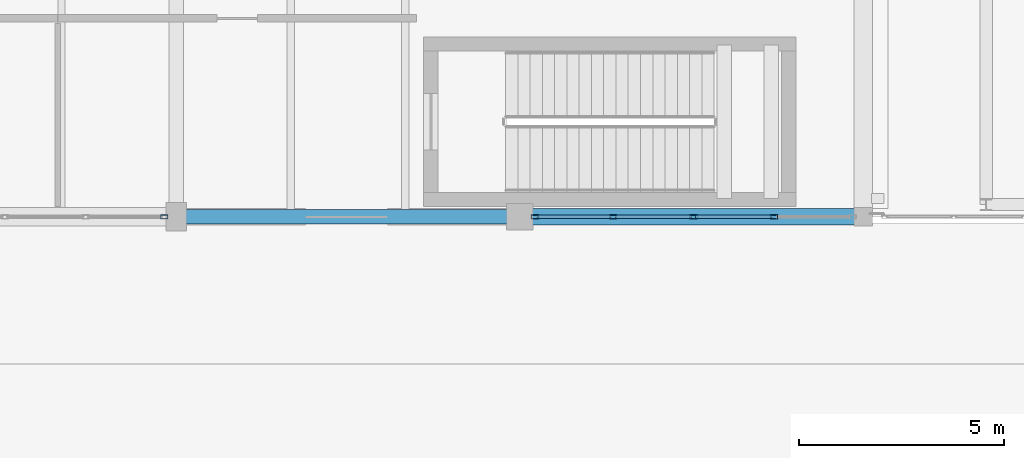
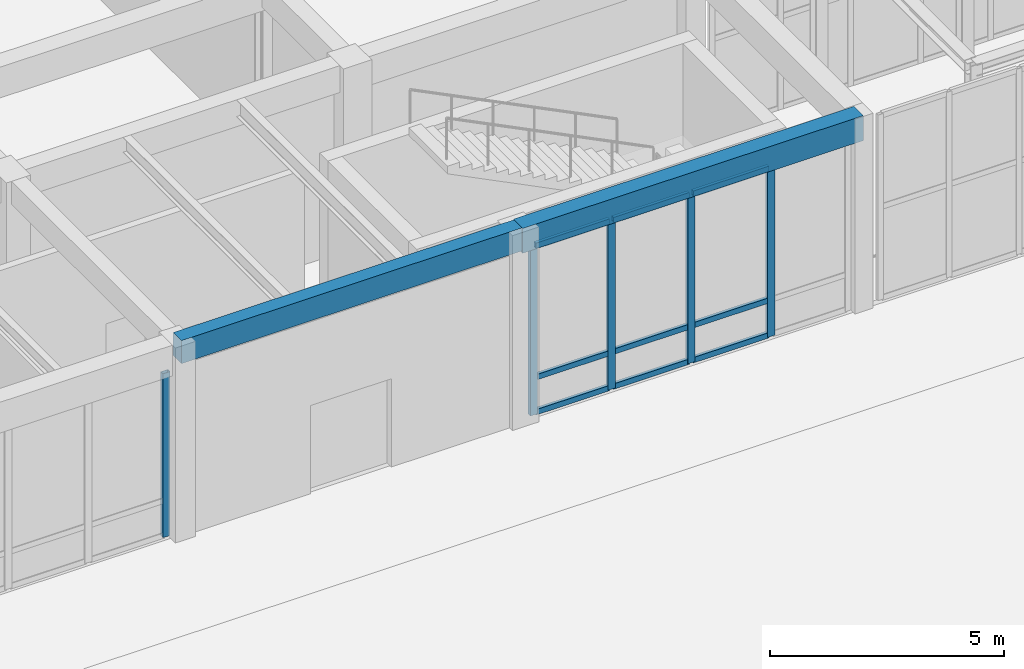
# One storey, part 74 of 169: 14 members, 2 beams, 2 elements without a shape of their own.
"""IFC4 building model written with IfcOpenShell, lengths in metres."""

from ifc_helpers import new_model, si_unit, direction, frame, origin, origin_2d, place, context, subcontext, project, spatial, rectangle, hollow_rectangle, extrude, material, layer, layer_set, material_profile, profile_set, type_object, element, aggregate, save


model = new_model("IFC4")

# Units and contexts
model_context = context("Model", 3, precision=1e-05, world=origin(), true_north=direction((0.0, 1.0)))
body_context = subcontext(model_context, "Body", "Model", "MODEL_VIEW")
ifc_project = project(units=[si_unit("LENGTHUNIT", "METRE"), si_unit("AREAUNIT", "SQUARE_METRE"), si_unit("VOLUMEUNIT", "CUBIC_METRE"), si_unit("PLANEANGLEUNIT", "RADIAN"), si_unit("MASSUNIT", "GRAM", prefix="KILO")], contexts=[model_context])

# Site, building, storey
site_placement = place(None, origin())
site = spatial("IfcSite", under=ifc_project, at=site_placement, CompositionType="ELEMENT")
building_placement = place(site_placement, origin())
building = spatial("IfcBuilding", under=site, at=building_placement, Name="Mazaris Harbour Polytechnic", CompositionType="ELEMENT")
storey_placement = place(building_placement, origin())
storey = spatial("IfcBuildingStorey", under=building, at=storey_placement, Name="L00", CompositionType="ELEMENT", Elevation=0.0)

# Curtain wall, member
ifc_material_1 = material(Name="Anodised Bronze Aluminium and Low-E Glass", Category="aluminium")
ifc_layer = layer(ifc_material_1, 0.14990234375, Name="Anodised Bronze Aluminium and Low-E Glass")
ifc_layer_set = layer_set([ifc_layer], Name="Anodised Bronze Aluminium and Low-E Glass")
curtain_wall_type = type_object("IfcCurtainWallType", Name="Workshop Clerestory Curtain Wall", PredefinedType="NOTDEFINED", material=ifc_layer_set)
curtain_wall_1_placement = place(storey_placement, origin())
curtain_wall_1 = element("IfcCurtainWall", 1, at=curtain_wall_1_placement, inside=storey, type_object=curtain_wall_type, Name="V1 L00 Curtain Wall 3", PredefinedType="NOTDEFINED")
ifc_material_2 = material(Name="Anodised Bronze Steel S355", Category="steel")
ifc_material_profile_1 = material_profile(ifc_material_2, hollow_rectangle(XDim=0.10009765625, YDim=0.179931640625, WallThickness=0.008056640625, at=origin_2d()), Name="RHS 100x180x8.0")
ifc_profile_set_1 = profile_set([ifc_material_profile_1], Name="Anodised Bronze Steel S355")
member_type_1 = type_object("IfcMemberType", Name="Curtain Mullion RHS100x180", PredefinedType="MULLION", material=ifc_profile_set_1)
member_1_placement = place(storey_placement, frame((95.7080078125, 75.60009765625, 0.0), z_axis=(0.0, 0.0, 1.0), x_axis=(0.0, -1.0, 0.0)))
member_1 = element("IfcMember", 2, at=member_1_placement, type_object=member_type_1, Name="CW-04 mullion 1", PredefinedType="MULLION", context=body_context, shape_type="SweptSolid", body=[
    extrude(hollow_rectangle(XDim=0.10009765625, YDim=0.179931640625, WallThickness=0.008056640625, at=origin_2d()), origin(), (0.0, 0.0, 1.0), 4.27001953125),
])
aggregate(curtain_wall_1, [member_1])

# Curtain wall, members
curtain_wall_2_placement = place(storey_placement, origin())
curtain_wall_2 = element("IfcCurtainWall", 3, at=curtain_wall_2_placement, inside=storey, type_object=curtain_wall_type, Name="V1 L00 Curtain Wall 4", PredefinedType="NOTDEFINED")
member_2_placement = place(storey_placement, frame((110.616455078125, 75.60009765625, 0.0), z_axis=(0.0, 0.0, 1.0), x_axis=(0.0, -1.0, 0.0)))
member_2 = element("IfcMember", 4, at=member_2_placement, type_object=member_type_1, Name="CW-04 mullion 2", PredefinedType="MULLION", context=body_context, shape_type="SweptSolid", body=[
    extrude(hollow_rectangle(XDim=0.10009765625, YDim=0.179931640625, WallThickness=0.008056640625, at=origin_2d()), origin(), (0.0, 0.0, 1.0), 4.419921875),
])
member_3_placement = place(storey_placement, frame((108.64990234375, 75.60009765625, 0.0), z_axis=(0.0, 0.0, 1.0), x_axis=(0.0, -1.0, 0.0)))
member_3 = element("IfcMember", 5, at=member_3_placement, type_object=member_type_1, Name="CW-04 mullion 3", PredefinedType="MULLION", context=body_context, shape_type="SweptSolid", body=[
    extrude(hollow_rectangle(XDim=0.10009765625, YDim=0.179931640625, WallThickness=0.008056640625, at=origin_2d()), origin(), (0.0, 0.0, 1.0), 4.419921875),
])
member_4_placement = place(storey_placement, frame((106.68359375, 75.60009765625, 0.0), z_axis=(0.0, 0.0, 1.0), x_axis=(0.0, -1.0, 0.0)))
member_4 = element("IfcMember", 6, at=member_4_placement, type_object=member_type_1, Name="CW-04 mullion 4", PredefinedType="MULLION", context=body_context, shape_type="SweptSolid", body=[
    extrude(hollow_rectangle(XDim=0.10009765625, YDim=0.179931640625, WallThickness=0.008056640625, at=origin_2d()), origin(), (0.0, 0.0, 1.0), 4.419921875),
])
member_5_placement = place(storey_placement, frame((104.76708984375, 75.60009765625, 0.0), z_axis=(0.0, 0.0, 1.0), x_axis=(0.0, -1.0, 0.0)))
member_5 = element("IfcMember", 7, at=member_5_placement, type_object=member_type_1, Name="CW-04 mullion 5", PredefinedType="MULLION", context=body_context, shape_type="SweptSolid", body=[
    extrude(hollow_rectangle(XDim=0.10009765625, YDim=0.179931640625, WallThickness=0.008056640625, at=origin_2d()), origin(), (0.0, 0.0, 1.0), 4.419921875),
])
ifc_material_3 = material(Name="Anodised Bronze Steel S355", Category="steel")
ifc_material_profile_2 = material_profile(ifc_material_3, hollow_rectangle(XDim=0.080078125, YDim=0.139892578125, WallThickness=0.00634765625, at=origin_2d()), Name="RHS 80x140x6.3")
ifc_profile_set_2 = profile_set([ifc_material_profile_2], Name="Anodised Bronze Steel S355")
member_type_2 = type_object("IfcMemberType", Name="Curtain Transom RHS80x140", PredefinedType="USERDEFINED", material=ifc_profile_set_2)
member_6_placement = place(storey_placement, frame((110.56640625, 75.60009765625, 0.0400390625), z_axis=(-1.0, 0.0, 0.0), x_axis=(0.0, -1.0, 0.0)))
member_6 = element("IfcMember", 8, at=member_6_placement, type_object=member_type_2, Name="CW-04 transom 2.1", ObjectType="TRANSOM", PredefinedType="USERDEFINED", context=body_context, shape_type="SweptSolid", body=[
    extrude(hollow_rectangle(XDim=0.080078125, YDim=0.139892578125, WallThickness=0.00634765625, at=origin_2d()), origin(), (0.0, 0.0, 1.0), 1.866455078125),
])
member_7_placement = place(storey_placement, frame((110.56640625, 75.60009765625, 0.949951171875), z_axis=(-1.0, 0.0, 0.0), x_axis=(0.0, -1.0, 0.0)))
member_7 = element("IfcMember", 9, at=member_7_placement, type_object=member_type_2, Name="CW-04 transom 2.2", ObjectType="TRANSOM", PredefinedType="USERDEFINED", context=body_context, shape_type="SweptSolid", body=[
    extrude(hollow_rectangle(XDim=0.080078125, YDim=0.139892578125, WallThickness=0.00634765625, at=origin_2d()), origin(), (0.0, 0.0, 1.0), 1.866455078125),
])
member_8_placement = place(storey_placement, frame((110.56640625, 75.60009765625, 4.3798828125), z_axis=(-1.0, 0.0, 0.0), x_axis=(0.0, -1.0, 0.0)))
member_8 = element("IfcMember", 10, at=member_8_placement, type_object=member_type_2, Name="CW-04 transom 2.3", ObjectType="TRANSOM", PredefinedType="USERDEFINED", context=body_context, shape_type="SweptSolid", body=[
    extrude(hollow_rectangle(XDim=0.080078125, YDim=0.139892578125, WallThickness=0.00634765625, at=origin_2d()), origin(), (0.0, 0.0, 1.0), 1.866455078125),
])
member_9_placement = place(storey_placement, frame((108.60009765625, 75.60009765625, 0.0400390625), z_axis=(-1.0, 0.0, 0.0), x_axis=(0.0, -1.0, 0.0)))
member_9 = element("IfcMember", 11, at=member_9_placement, type_object=member_type_2, Name="CW-04 transom 3.1", ObjectType="TRANSOM", PredefinedType="USERDEFINED", context=body_context, shape_type="SweptSolid", body=[
    extrude(hollow_rectangle(XDim=0.080078125, YDim=0.139892578125, WallThickness=0.00634765625, at=origin_2d()), origin(), (0.0, 0.0, 1.0), 1.86669921875),
])
member_10_placement = place(storey_placement, frame((108.60009765625, 75.60009765625, 0.949951171875), z_axis=(-1.0, 0.0, 0.0), x_axis=(0.0, -1.0, 0.0)))
member_10 = element("IfcMember", 12, at=member_10_placement, type_object=member_type_2, Name="CW-04 transom 3.2", ObjectType="TRANSOM", PredefinedType="USERDEFINED", context=body_context, shape_type="SweptSolid", body=[
    extrude(hollow_rectangle(XDim=0.080078125, YDim=0.139892578125, WallThickness=0.00634765625, at=origin_2d()), origin(), (0.0, 0.0, 1.0), 1.86669921875),
])
member_11_placement = place(storey_placement, frame((108.60009765625, 75.60009765625, 4.3798828125), z_axis=(-1.0, 0.0, 0.0), x_axis=(0.0, -1.0, 0.0)))
member_11 = element("IfcMember", 13, at=member_11_placement, type_object=member_type_2, Name="CW-04 transom 3.3", ObjectType="TRANSOM", PredefinedType="USERDEFINED", context=body_context, shape_type="SweptSolid", body=[
    extrude(hollow_rectangle(XDim=0.080078125, YDim=0.139892578125, WallThickness=0.00634765625, at=origin_2d()), origin(), (0.0, 0.0, 1.0), 1.86669921875),
])
member_12_placement = place(storey_placement, frame((106.633544921875, 75.60009765625, 0.0400390625), z_axis=(-1.0, 0.0, 0.0), x_axis=(0.0, -1.0, 0.0)))
member_12 = element("IfcMember", 14, at=member_12_placement, type_object=member_type_2, Name="CW-04 transom 4.1", ObjectType="TRANSOM", PredefinedType="USERDEFINED", context=body_context, shape_type="SweptSolid", body=[
    extrude(hollow_rectangle(XDim=0.080078125, YDim=0.139892578125, WallThickness=0.00634765625, at=origin_2d()), origin(), (0.0, 0.0, 1.0), 1.816650390625),
])
member_13_placement = place(storey_placement, frame((106.633544921875, 75.60009765625, 0.949951171875), z_axis=(-1.0, 0.0, 0.0), x_axis=(0.0, -1.0, 0.0)))
member_13 = element("IfcMember", 15, at=member_13_placement, type_object=member_type_2, Name="CW-04 transom 4.2", ObjectType="TRANSOM", PredefinedType="USERDEFINED", context=body_context, shape_type="SweptSolid", body=[
    extrude(hollow_rectangle(XDim=0.080078125, YDim=0.139892578125, WallThickness=0.00634765625, at=origin_2d()), origin(), (0.0, 0.0, 1.0), 1.816650390625),
])
member_14_placement = place(storey_placement, frame((106.633544921875, 75.60009765625, 4.3798828125), z_axis=(-1.0, 0.0, 0.0), x_axis=(0.0, -1.0, 0.0)))
member_14 = element("IfcMember", 16, at=member_14_placement, type_object=member_type_2, Name="CW-04 transom 4.3", ObjectType="TRANSOM", PredefinedType="USERDEFINED", context=body_context, shape_type="SweptSolid", body=[
    extrude(hollow_rectangle(XDim=0.080078125, YDim=0.139892578125, WallThickness=0.00634765625, at=origin_2d()), origin(), (0.0, 0.0, 1.0), 1.816650390625),
])
aggregate(curtain_wall_2, [member_2, member_3, member_4, member_5, member_6, member_7, member_8, member_9, member_10, member_11, member_12, member_13, member_14])

# Beams
ifc_material_4 = material(Name="Concrete C35/45", Category="concrete")
ifc_material_profile_3 = material_profile(ifc_material_4, rectangle(XDim=0.35009765625, YDim=0.60009765625, at=origin_2d()), Name="RECT350x600")
ifc_profile_set_3 = profile_set([ifc_material_profile_3], Name="Concrete C35/45")
beam_type_1 = type_object("IfcBeamType", Name="RC Girder 350x600 Exterior", PredefinedType="BEAM", material=ifc_profile_set_3)
beam_1_placement = place(storey_placement, frame((96.0, 75.60009765625, 4.780029296875), z_axis=(1.0, 0.0, 0.0), x_axis=(0.0, 1.0, 0.0)))
element("IfcBeam", 17, at=beam_1_placement, inside=storey, type_object=beam_type_1, Name="V1 L00 Girder 180", PredefinedType="BEAM", context=body_context, shape_type="SweptSolid", body=[
    extrude(rectangle(XDim=0.35009765625, YDim=0.60009765625, at=origin_2d()), origin(), (0.0, 0.0, 1.0), 8.39990234375),
])
ifc_material_5 = material(Name="Concrete C35/45", Category="concrete")
ifc_material_profile_4 = material_profile(ifc_material_5, rectangle(XDim=0.39990234375, YDim=0.64990234375, at=origin_2d()), Name="RECT400x650")
ifc_profile_set_4 = profile_set([ifc_material_profile_4], Name="Concrete C35/45")
beam_type_2 = type_object("IfcBeamType", Name="RC Girder 400x650 Exterior", PredefinedType="BEAM", material=ifc_profile_set_4)
beam_2_placement = place(storey_placement, frame((104.39990234375, 75.60009765625, 4.7548828125), z_axis=(1.0, 0.0, 0.0), x_axis=(0.0, 1.0, 0.0)))
element("IfcBeam", 18, at=beam_2_placement, inside=storey, type_object=beam_type_2, Name="V1 L00 Girder 181", PredefinedType="BEAM", context=body_context, shape_type="SweptSolid", body=[
    extrude(rectangle(XDim=0.39990234375, YDim=0.64990234375, at=origin_2d()), origin(), (0.0, 0.0, 1.0), 8.400146484375),
])

save(model, "model.ifc")
